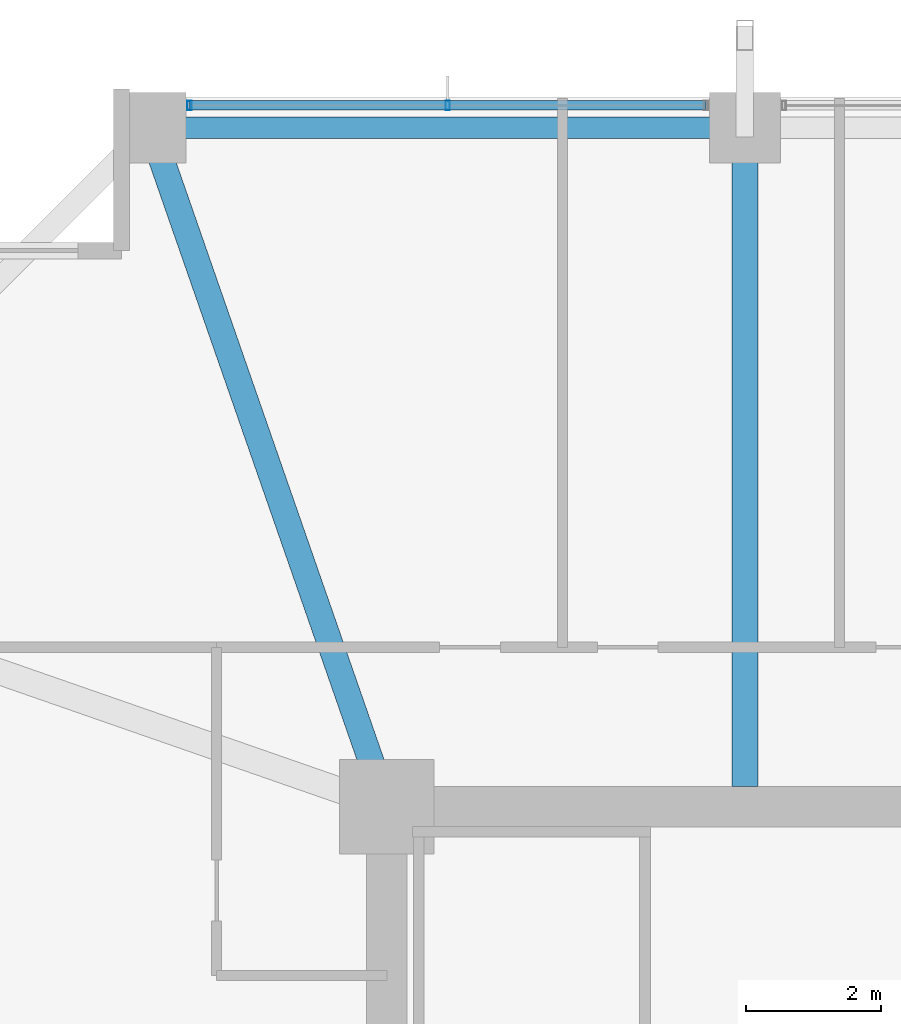
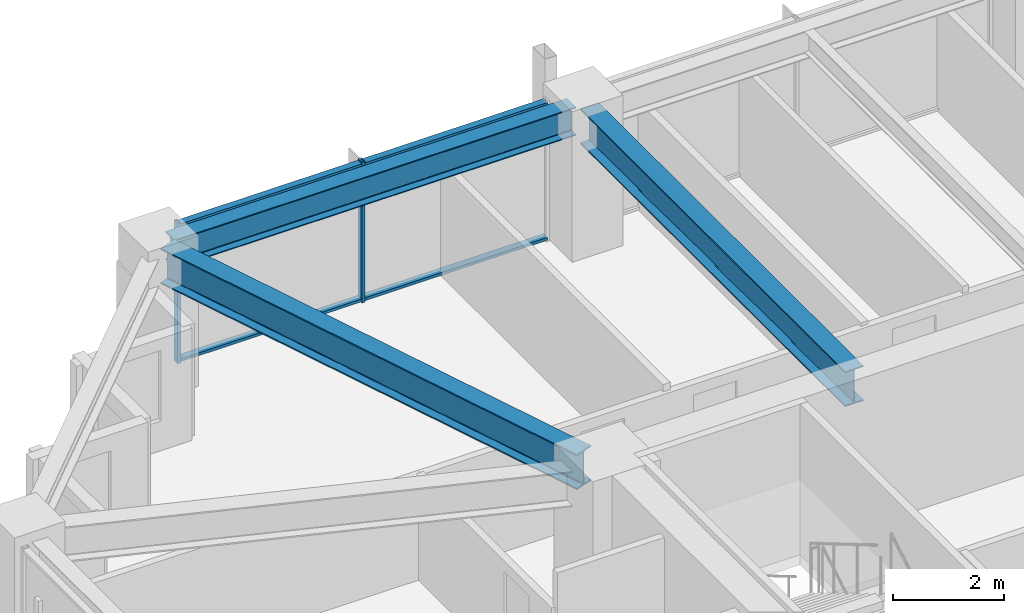
# One storey, part 19 of 37: 4 members, 3 beams, 1 element without a shape of its own.
"""IFC4 building model written with IfcOpenShell, lengths in metres."""

import ifcopenshell
import ifcopenshell.guid

model = None  # the IFC model being written
_history = None  # IfcOwnerHistory: only IFC2X3 demands one
_inside = {}  # id of a spatial element -> (the spatial element, [elements in it])
_under = {}  # id of a project, library or spatial element -> (it, [spatial elements below it])
_declared = {}  # id of a project -> (the project, [libraries it declares])
_typed = {}  # id of a type object -> (the type object, [elements of that type])
_made_of = {}  # id of a material, layer set ... -> (it, [elements and type objects made of it])


def new_model(schema):
    """Start an empty IFC model of exactly this schema.

    Asked for "IFC4X3", IfcOpenShell would pick the latest addendum, in which some entities
    have other attributes; the version numbers below select the first issue.
    IFC2X3 requires an IfcOwnerHistory on every rooted entity: one is made here for all.
    """
    global model, _history
    if schema == "IFC4X3":
        model = ifcopenshell.file(schema_version=(4, 3, 0, 0))
    else:
        model = ifcopenshell.file(schema=schema)
    _inside.clear()
    _under.clear()
    _declared.clear()
    _typed.clear()
    _made_of.clear()
    _history = None
    if model.schema == "IFC2X3":
        org = make("IfcOrganization", Name="unknown")
        user = make(
            "IfcPersonAndOrganization",
            ThePerson=make("IfcPerson", FamilyName="unknown"),
            TheOrganization=org,
        )
        app = make(
            "IfcApplication",
            ApplicationDeveloper=org,
            Version="unknown",
            ApplicationFullName="unknown",
            ApplicationIdentifier="unknown",
        )
        _history = make(
            "IfcOwnerHistory",
            OwningUser=user,
            OwningApplication=app,
            ChangeAction="ADDED",
            CreationDate=0,
        )
    return model


def make(cls, **values):
    """One entity of the class cls with the attributes given. An attribute that is None is left unset."""
    return model.create_entity(
        cls, **{name: value for name, value in values.items() if value is not None}
    )


def rooted(cls, **values):
    """An entity with a GlobalId (a new one), such as an element, a storey or a relation."""
    return make(cls, GlobalId=ifcopenshell.guid.new(), OwnerHistory=_history, **values)


def si_unit(unit_type, name, prefix=None):
    """IfcSIUnit, for example si_unit("LENGTHUNIT", "METRE", prefix="MILLI")."""
    return make("IfcSIUnit", UnitType=unit_type, Prefix=prefix, Name=name)


def assignment(units):
    """IfcUnitAssignment: the units of a project."""
    return None if units is None else make("IfcUnitAssignment", Units=units)


def point(xyz):
    """IfcCartesianPoint."""
    return None if xyz is None else make("IfcCartesianPoint", Coordinates=xyz)


def direction(xyz):
    """IfcDirection."""
    return None if xyz is None else make("IfcDirection", DirectionRatios=xyz)


def frame(location, z_axis=None, x_axis=None):
    """IfcAxis2Placement3D, a coordinate frame: its origin and axes. An axis left out is left unset."""
    return make(
        "IfcAxis2Placement3D",
        Location=point(location),
        Axis=direction(z_axis),
        RefDirection=direction(x_axis),
    )


def frame_2d(location, x_axis=None):
    """IfcAxis2Placement2D, a coordinate frame in the plane: its origin and x axis."""
    return make(
        "IfcAxis2Placement2D", Location=point(location), RefDirection=direction(x_axis)
    )


def origin():
    """The frame at (0, 0, 0) with its axes left unset."""
    return frame((0.0, 0.0, 0.0))


def origin_2d():
    """The frame at (0, 0) in the plane with its x axis left unset."""
    return frame_2d((0.0, 0.0))


def place(relative_to, where):
    """IfcLocalPlacement: puts the frame where relative to a parent placement (None: the world)."""
    return make(
        "IfcLocalPlacement", PlacementRelTo=relative_to, RelativePlacement=where
    )


def context(
    kind, dimensions, precision=None, world=None, true_north=None, identifier=None
):
    """IfcGeometricRepresentationContext, for example the 3D "Model" context."""
    return make(
        "IfcGeometricRepresentationContext",
        ContextIdentifier=identifier,
        ContextType=kind,
        CoordinateSpaceDimension=dimensions,
        Precision=precision,
        WorldCoordinateSystem=world,
        TrueNorth=true_north,
    )


def subcontext(parent, identifier, kind, view, scale=None):
    """IfcGeometricRepresentationSubContext, for example "Body" below "Model"."""
    return make(
        "IfcGeometricRepresentationSubContext",
        ContextIdentifier=identifier,
        ContextType=kind,
        ParentContext=parent,
        TargetScale=scale,
        TargetView=view,
    )


def project(units=None, contexts=None):
    """IfcProject with its units and contexts."""
    return rooted(
        "IfcProject",
        Name="project",
        RepresentationContexts=contexts,
        UnitsInContext=assignment(units),
    )


def spatial(cls, under=None, at=None, **own):
    """A site, building, storey or space (cls), placed at a placement, below another one or the project."""
    s = rooted(cls, ObjectPlacement=at, **own)
    if under is not None:
        _under.setdefault(under.id(), (under, []))[1].append(s)
    return s


def profile(cls, at=None, kind="AREA", **sizes):
    """A parametric profile (cls). Its sizes go by their IFC names, for example OverallWidth=200.0."""
    return make(cls, ProfileType=kind, Position=at, **sizes)


def hollow_rectangle(**sizes):
    """IfcRectangleHollowProfileDef."""
    return profile("IfcRectangleHollowProfileDef", **sizes)


def i_section(**sizes):
    """IfcIShapeProfileDef."""
    return profile("IfcIShapeProfileDef", **sizes)


def extrude(swept, where, along, depth):
    """IfcExtrudedAreaSolid: the profile swept, set in the frame where, extruded along a direction by depth."""
    return make(
        "IfcExtrudedAreaSolid",
        SweptArea=swept,
        Position=where,
        ExtrudedDirection=direction(along),
        Depth=depth,
    )


def shape(context_of_items, identifier, shape_type, items):
    """IfcShapeRepresentation: the items that make up one representation, for example the "Body"."""
    return make(
        "IfcShapeRepresentation",
        ContextOfItems=context_of_items,
        RepresentationIdentifier=identifier,
        RepresentationType=shape_type,
        Items=items,
    )


def material(Name=None, Category=None):
    """IfcMaterial."""
    return make("IfcMaterial", Name=Name, Category=Category)


def material_profile(
    of_material, cross_section, Name=None, Category=None, Priority=None
):
    """IfcMaterialProfile: a cross section and its material."""
    return make(
        "IfcMaterialProfile",
        Name=Name,
        Material=of_material,
        Profile=cross_section,
        Priority=Priority,
        Category=Category,
    )


def profile_set(profiles, Name=None, composite=None):
    """IfcMaterialProfileSet."""
    return make(
        "IfcMaterialProfileSet",
        Name=Name,
        MaterialProfiles=profiles,
        CompositeProfile=composite,
    )


def made_of(thing, what):
    """Note that an element or type object is made of a material, layer set ...; save() writes the relation."""
    if what is not None:
        _made_of.setdefault(what.id(), (what, []))[1].append(thing)
    return thing


def type_object(cls, material=None, **own):
    """A type object (cls), such as IfcWallType, which elements share."""
    return made_of(rooted(cls, **own), material)


def element(
    cls,
    number,
    at=None,
    inside=None,
    cuts=None,
    type_object=None,
    material=None,
    context=None,
    identifier="Body",
    shape_type=None,
    held_by="IfcProductDefinitionShape",
    body=None,
    shapes=None,
    **own,
):
    """One element of the class cls, such as IfcWall. Its Tag is "e" and its number.

    at: its placement. inside: the storey or other place that contains it. cuts: it is an
    opening in that element (IfcRelVoidsElement). A single representation is given by context,
    identifier, shape_type and body (its items); several are given by shapes. held_by: the class
    of the entity that holds the representations. save() writes the other relations.
    """
    e = rooted(cls, Tag="e%d" % number, ObjectPlacement=at, **own)
    if body is not None:
        shapes = [shape(context, identifier, shape_type, body)]
    if shapes is not None:
        e.Representation = make(held_by, Representations=shapes)
    if inside is not None:
        _inside.setdefault(inside.id(), (inside, []))[1].append(e)
    if cuts is not None:
        rooted(
            "IfcRelVoidsElement", RelatingBuildingElement=cuts, RelatedOpeningElement=e
        )
    if type_object is not None:
        _typed.setdefault(type_object.id(), (type_object, []))[1].append(e)
    return made_of(e, material)


def aggregate(whole, parts):
    """IfcRelAggregates: a whole, such as a stair, and the parts it consists of."""
    return rooted("IfcRelAggregates", RelatingObject=whole, RelatedObjects=parts)


def save(model, path):
    """Write the relations noted so far, then the file.

    IfcRelAggregates (storeys below a building ...), IfcRelContainedInSpatialStructure (elements
    in a storey), IfcRelDefinesByType, IfcRelAssociatesMaterial and IfcRelDeclares: one each for
    every whole, place, type object, material and project.
    """
    for whole, parts in _under.values():
        aggregate(whole, parts)
    for where, things in _inside.values():
        rooted(
            "IfcRelContainedInSpatialStructure",
            RelatedElements=things,
            RelatingStructure=where,
        )
    for kind, things in _typed.values():
        rooted("IfcRelDefinesByType", RelatedObjects=things, RelatingType=kind)
    for what, things in _made_of.values():
        rooted("IfcRelAssociatesMaterial", RelatedObjects=things, RelatingMaterial=what)
    for by, libraries in _declared.values():
        rooted("IfcRelDeclares", RelatingContext=by, RelatedDefinitions=libraries)
    model.write(path)


model = new_model("IFC4")

# Units and contexts
model_context = context("Model", 3, precision=1e-05, world=origin(), true_north=direction((0.0, 1.0)))
body_context = subcontext(model_context, "Body", "Model", "MODEL_VIEW")
ifc_project = project(units=[si_unit("LENGTHUNIT", "METRE"), si_unit("AREAUNIT", "SQUARE_METRE"), si_unit("VOLUMEUNIT", "CUBIC_METRE"), si_unit("PLANEANGLEUNIT", "RADIAN"), si_unit("MASSUNIT", "GRAM", prefix="KILO")], contexts=[model_context])

# Site, building, storey
site_placement = place(None, origin())
site = spatial("IfcSite", under=ifc_project, at=site_placement, CompositionType="ELEMENT")
building_placement = place(site_placement, origin())
building = spatial("IfcBuilding", under=site, at=building_placement, Name="Kolvaren Belvedere", CompositionType="ELEMENT")
storey_placement = place(building_placement, frame((0.0, 0.0, 75.5)))
storey = spatial("IfcBuildingStorey", under=building, at=storey_placement, Name="L21", CompositionType="ELEMENT", Elevation=75.5)

# Beams
ifc_material_1 = material(Name="Structural steel ASTM A992 Grade 50", Category="steel")
ifc_material_profile_1 = material_profile(ifc_material_1, i_section(OverallWidth=0.381103515625, OverallDepth=0.77294921875, WebThickness=0.0166015625, FlangeThickness=0.027099609375, FilletRadius=0.02392578125, at=origin_2d()), Name="W30X173")
ifc_profile_set_1 = profile_set([ifc_material_profile_1], Name="Structural steel ASTM A992 Grade 50")
beam_type_1 = type_object("IfcBeamType", Name="BM-GIRD-W30X173", PredefinedType="BEAM", material=ifc_profile_set_1)
beam_1_placement = place(storey_placement, frame((-4.60009765625, 10.199951171875, 2.693603515625), z_axis=(0.0, 1.0, 0.0), x_axis=(-1.0, 0.0, 0.0)))
element("IfcBeam", 1, at=beam_1_placement, inside=storey, type_object=beam_type_1, Name="L21 North Radial Girder M", PredefinedType="BEAM", context=body_context, shape_type="SweptSolid", body=[
    extrude(i_section(OverallWidth=0.381103515625, OverallDepth=0.77294921875, WebThickness=0.0166015625, FlangeThickness=0.027099609375, FilletRadius=0.02392578125, at=origin_2d()), origin(), (0.0, 0.0, 1.0), 9.513916015625),
])
beam_2_placement = place(storey_placement, frame((-10.080810546875, 10.41943359375, 2.693603515625), z_axis=(-0.328880894453, 0.944371408538, 0.0), x_axis=(-0.944371408538, -0.328880894453, 0.0)))
element("IfcBeam", 2, at=beam_2_placement, inside=storey, type_object=beam_type_1, Name="L21 Corner Core-to-Perimeter Girder CC4-N1", PredefinedType="BEAM", context=body_context, shape_type="SweptSolid", body=[
    extrude(i_section(OverallWidth=0.381103515625, OverallDepth=0.77294921875, WebThickness=0.0166015625, FlangeThickness=0.027099609375, FilletRadius=0.02392578125, at=origin_2d()), origin(), (0.0, 0.0, 1.0), 9.882080078125),
])
ifc_material_2 = material(Name="Structural steel ASTM A992 Grade 50", Category="steel")
ifc_material_profile_2 = material_profile(ifc_material_2, i_section(OverallWidth=0.324951171875, OverallDepth=0.615966796875, WebThickness=0.013916015625, FlangeThickness=0.021484375, FilletRadius=0.02001953125, at=origin_2d()), Name="W24X117")
ifc_profile_set_2 = profile_set([ifc_material_profile_2], Name="Structural steel ASTM A992 Grade 50")
beam_type_2 = type_object("IfcBeamType", Name="BM-SPAN-W24X117", PredefinedType="SPANDREL", material=ifc_profile_set_2)
beam_3_placement = place(storey_placement, frame((-4.836181640625, 19.949951171875, 2.77197265625), z_axis=(-1.0, 0.0, 0.0), x_axis=(0.0, -1.0, 0.0)))
element("IfcBeam", 3, at=beam_3_placement, inside=storey, type_object=beam_type_2, Name="L21 Perimeter Spandrel N2-N1", PredefinedType="SPANDREL", context=body_context, shape_type="SweptSolid", body=[
    extrude(i_section(OverallWidth=0.324951171875, OverallDepth=0.615966796875, WebThickness=0.013916015625, FlangeThickness=0.021484375, FilletRadius=0.02001953125, at=origin_2d()), origin(), (0.0, 0.0, 1.0), 8.32763671875),
])

# Curtain wall, members
ifc_material_3 = material(Name="Anodised pale-metal aluminium AA 6063-T6", Category="aluminium")
curtain_wall_type = type_object("IfcCurtainWallType", Name="CW-Z2-MID", PredefinedType="NOTDEFINED", material=ifc_material_3)
curtain_wall_placement = place(storey_placement, origin())
curtain_wall = element("IfcCurtainWall", 4, at=curtain_wall_placement, inside=storey, type_object=curtain_wall_type, Name="L21 Unitised Curtain Wall FCW-L21-N-B1", PredefinedType="NOTDEFINED")
ifc_material_4 = material(Name="Anodised pale-metal aluminium AA 6063-T6", Category="aluminium")
ifc_material_profile_3 = material_profile(ifc_material_4, hollow_rectangle(XDim=0.06494140625, YDim=0.139892578125, WallThickness=0.00390625, at=origin_2d()), Name="ALU-MUL-140X65")
ifc_profile_set_3 = profile_set([ifc_material_profile_3], Name="Anodised pale-metal aluminium AA 6063-T6")
member_type_1 = type_object("IfcMemberType", Name="CW-MUL-140", PredefinedType="MULLION", material=ifc_profile_set_3)
member_1_placement = place(storey_placement, frame((-12.822509765625, 20.280029296875, 0.0), z_axis=(0.0, 0.0, 1.0), x_axis=(1.0, 0.0, 0.0)))
member_1 = element("IfcMember", 5, at=member_1_placement, type_object=member_type_1, Name="FCW-L21-N-B1 Unitised Mullion 1", PredefinedType="MULLION", context=body_context, shape_type="SweptSolid", body=[
    extrude(hollow_rectangle(XDim=0.06494140625, YDim=0.139892578125, WallThickness=0.00390625, at=origin_2d()), origin(), (0.0, 0.0, 1.0), 3.080078125),
])
member_2_placement = place(storey_placement, frame((-9.0, 20.280029296875, 0.0), z_axis=(0.0, 0.0, 1.0), x_axis=(1.0, 0.0, 0.0)))
member_2 = element("IfcMember", 6, at=member_2_placement, type_object=member_type_1, Name="FCW-L21-N-B1 Unitised Mullion 2", PredefinedType="MULLION", context=body_context, shape_type="SweptSolid", body=[
    extrude(hollow_rectangle(XDim=0.06494140625, YDim=0.139892578125, WallThickness=0.00390625, at=origin_2d()), origin(), (0.0, 0.0, 1.0), 3.080078125),
])
ifc_material_5 = material(Name="Anodised pale-metal aluminium AA 6063-T6", Category="aluminium")
ifc_material_profile_4 = material_profile(ifc_material_5, hollow_rectangle(XDim=0.06005859375, YDim=0.139892578125, WallThickness=0.00390625, at=origin_2d()), Name="ALU-TRN-140X60")
ifc_profile_set_4 = profile_set([ifc_material_profile_4], Name="Anodised pale-metal aluminium AA 6063-T6")
member_type_2 = type_object("IfcMemberType", Name="CW-TRN-140", PredefinedType="USERDEFINED", material=ifc_profile_set_4)
member_3_placement = place(storey_placement, frame((-12.822509765625, 20.280029296875, 0.06005859375), z_axis=(1.0, 0.0, 0.0), x_axis=(0.0, 0.0, 1.0)))
member_3 = element("IfcMember", 7, at=member_3_placement, type_object=member_type_2, Name="FCW-L21-N-B1 Sill Transom", ObjectType="TRANSOM", PredefinedType="USERDEFINED", context=body_context, shape_type="SweptSolid", body=[
    extrude(hollow_rectangle(XDim=0.06005859375, YDim=0.139892578125, WallThickness=0.00390625, at=origin_2d()), origin(), (0.0, 0.0, 1.0), 7.64501953125),
])
member_4_placement = place(storey_placement, frame((-12.822509765625, 20.280029296875, 3.02001953125), z_axis=(1.0, 0.0, 0.0), x_axis=(0.0, 0.0, 1.0)))
member_4 = element("IfcMember", 8, at=member_4_placement, type_object=member_type_2, Name="FCW-L21-N-B1 Head Transom", ObjectType="TRANSOM", PredefinedType="USERDEFINED", context=body_context, shape_type="SweptSolid", body=[
    extrude(hollow_rectangle(XDim=0.06005859375, YDim=0.139892578125, WallThickness=0.00390625, at=origin_2d()), origin(), (0.0, 0.0, 1.0), 7.64501953125),
])
aggregate(curtain_wall, [member_1, member_2, member_3, member_4])

save(model, "model.ifc")
